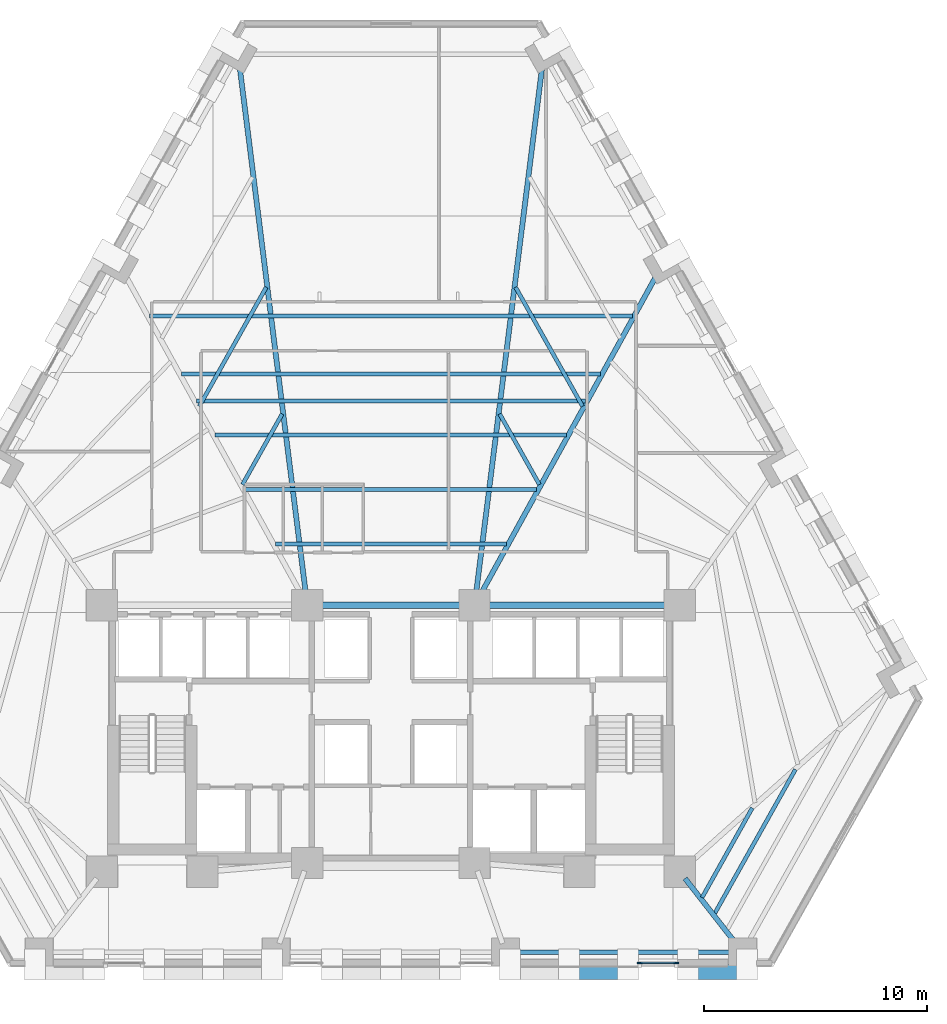
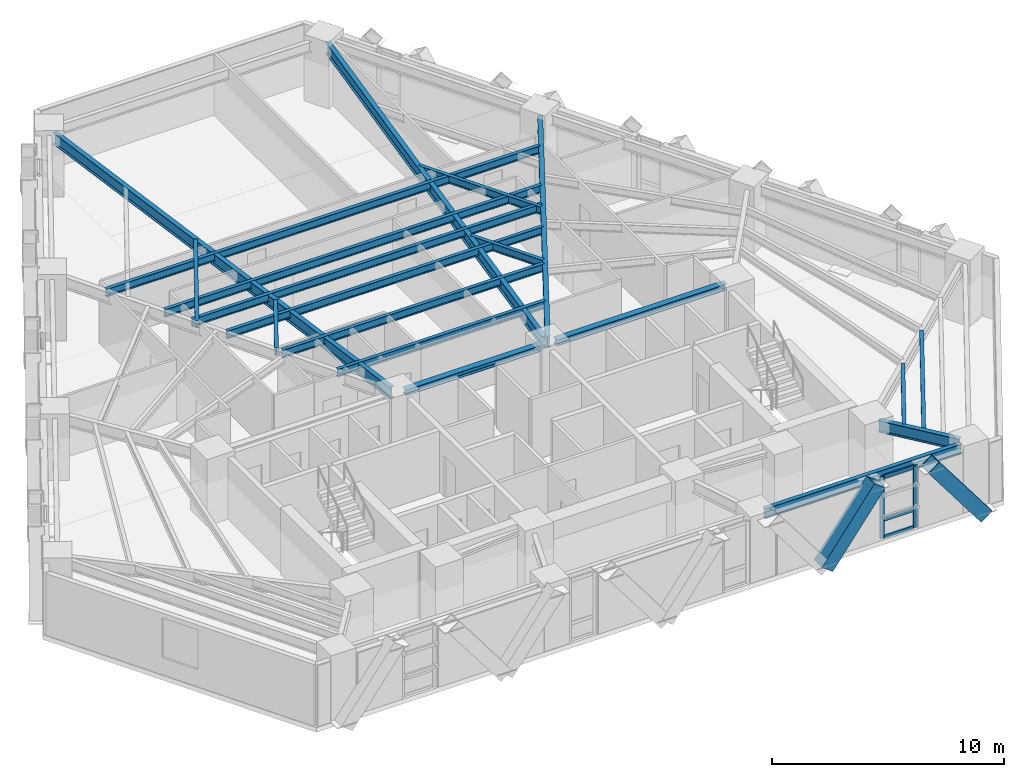
# One storey, part 3 of 13: 19 beams, 7 members, 1 element without a shape of its own.
"""IFC4 building model written with IfcOpenShell, lengths in metres."""

from ifc_helpers import new_model, si_unit, direction, frame, origin, origin_2d, place, context, subcontext, project, spatial, rectangle, hollow_rectangle, i_section, extrude, material, material_profile, profile_set, type_object, element, aggregate, save


model = new_model("IFC4")

# Units and contexts
model_context = context("Model", 3, precision=1e-05, world=origin(), true_north=direction((0.0, 1.0)))
body_context = subcontext(model_context, "Body", "Model", "MODEL_VIEW")
ifc_project = project(units=[si_unit("LENGTHUNIT", "METRE"), si_unit("AREAUNIT", "SQUARE_METRE"), si_unit("VOLUMEUNIT", "CUBIC_METRE"), si_unit("PLANEANGLEUNIT", "RADIAN"), si_unit("MASSUNIT", "GRAM", prefix="KILO")], contexts=[model_context])

# Site, building, storey
site_placement = place(None, origin())
site = spatial("IfcSite", under=ifc_project, at=site_placement, CompositionType="ELEMENT")
building_placement = place(site_placement, origin())
building = spatial("IfcBuilding", under=site, at=building_placement, Name="Quenlor Broadcast Tower", CompositionType="ELEMENT")
storey_placement = place(building_placement, frame((0.0, 0.0, 59.10009765625)))
storey = spatial("IfcBuildingStorey", under=building, at=storey_placement, Name="L15", CompositionType="ELEMENT", Elevation=59.10009765625)

# Curtain wall, members
ifc_material_1 = material(Name="Architectural Terracotta and Low-E Glazing", Category="masonry")
curtain_wall_type = type_object("IfcCurtainWallType", Name="Unitised Terracotta Curtain Wall System Z1", PredefinedType="NOTDEFINED", material=ifc_material_1)
curtain_wall_placement = place(storey_placement, origin())
curtain_wall = element("IfcCurtainWall", 1, at=curtain_wall_placement, inside=storey, type_object=curtain_wall_type, Name="L15 Curtain Wall CW1 (L15-SA-G1)", PredefinedType="NOTDEFINED")
ifc_material_2 = material(Name="Aluminium 6063-T6", Category="aluminium")
ifc_material_profile_1 = material_profile(ifc_material_2, rectangle(XDim=0.080078125, YDim=0.219970703125, at=origin_2d()))
ifc_profile_set_1 = profile_set([ifc_material_profile_1], Name="Aluminium 6063-T6 MULL80x220")
member_type_1 = type_object("IfcMemberType", Name="CW1 Aluminium Mullion MULL_CW1", PredefinedType="MULLION", material=ifc_profile_set_1)
member_1_placement = place(storey_placement, frame((12.794921875, -20.840087890625, 0.0), z_axis=(0.0, 0.0, 1.0), x_axis=(0.0, -1.0, 0.0)))
member_1 = element("IfcMember", 2, at=member_1_placement, type_object=member_type_1, Name="CW1 mullion 1", PredefinedType="MULLION", context=body_context, shape_type="SweptSolid", body=[
    extrude(rectangle(XDim=0.080078125, YDim=0.219970703125, at=origin_2d()), origin(), (0.0, 0.0, 1.0), 3.25),
])
member_2_placement = place(storey_placement, frame((11.146484375, -20.840087890625, 0.0), z_axis=(0.0, 0.0, 1.0), x_axis=(0.0, -1.0, 0.0)))
member_2 = element("IfcMember", 3, at=member_2_placement, type_object=member_type_1, Name="CW1 mullion 2", PredefinedType="MULLION", context=body_context, shape_type="SweptSolid", body=[
    extrude(rectangle(XDim=0.080078125, YDim=0.219970703125, at=origin_2d()), origin(), (0.0, 0.0, 1.0), 3.25),
])
ifc_material_3 = material(Name="Aluminium 6063-T6", Category="aluminium")
ifc_material_profile_2 = material_profile(ifc_material_3, rectangle(XDim=0.080078125, YDim=0.179931640625, at=origin_2d()))
ifc_profile_set_2 = profile_set([ifc_material_profile_2], Name="Aluminium 6063-T6 TRAN80x180")
member_type_2 = type_object("IfcMemberType", Name="CW1 Aluminium Transom TRAN_CW1", PredefinedType="USERDEFINED", material=ifc_profile_set_2)
member_3_placement = place(storey_placement, frame((12.7548828125, -20.840087890625, 0.039794921875), z_axis=(-1.0, 0.0, 0.0), x_axis=(0.0, -1.0, 0.0)))
member_3 = element("IfcMember", 4, at=member_3_placement, type_object=member_type_2, Name="CW1 transom 1.1", ObjectType="TRANSOM", PredefinedType="USERDEFINED", context=body_context, shape_type="SweptSolid", body=[
    extrude(rectangle(XDim=0.080078125, YDim=0.179931640625, at=origin_2d()), origin(), (0.0, 0.0, 1.0), 1.568359375),
])
member_4_placement = place(storey_placement, frame((12.7548828125, -20.840087890625, 0.949951171875), z_axis=(-1.0, 0.0, 0.0), x_axis=(0.0, -1.0, 0.0)))
member_4 = element("IfcMember", 5, at=member_4_placement, type_object=member_type_2, Name="CW1 transom 1.2", ObjectType="TRANSOM", PredefinedType="USERDEFINED", context=body_context, shape_type="SweptSolid", body=[
    extrude(rectangle(XDim=0.080078125, YDim=0.179931640625, at=origin_2d()), origin(), (0.0, 0.0, 1.0), 1.568359375),
])
member_5_placement = place(storey_placement, frame((12.7548828125, -20.840087890625, 3.2099609375), z_axis=(-1.0, 0.0, 0.0), x_axis=(0.0, -1.0, 0.0)))
member_5 = element("IfcMember", 6, at=member_5_placement, type_object=member_type_2, Name="CW1 transom 1.3", ObjectType="TRANSOM", PredefinedType="USERDEFINED", context=body_context, shape_type="SweptSolid", body=[
    extrude(rectangle(XDim=0.080078125, YDim=0.179931640625, at=origin_2d()), origin(), (0.0, 0.0, 1.0), 1.568359375),
])
aggregate(curtain_wall, [member_1, member_2, member_3, member_4, member_5])

# Beams
ifc_material_4 = material(Name="Steel S355", Category="steel")
ifc_material_profile_3 = material_profile(ifc_material_4, i_section(OverallWidth=0.304931640625, OverallDepth=0.30810546875, WebThickness=0.010009765625, FlangeThickness=0.015380859375, FilletRadius=0.0166015625, at=origin_2d()))
ifc_profile_set_3 = profile_set([ifc_material_profile_3], Name="Steel S355 310UC96.8")
beam_type_1 = type_object("IfcBeamType", Name="Core Header Beam Steel S355 310UC96.8", PredefinedType="BEAM", material=ifc_profile_set_3)
beam_1_placement = place(storey_placement, frame((-3.389892578125, -4.800048828125, 3.095947265625), z_axis=(1.0, 0.0, 0.0), x_axis=(0.0, 1.0, 0.0)))
element("IfcBeam", 7, at=beam_1_placement, inside=storey, type_object=beam_type_1, Name="L15 Core Header Beam 2", PredefinedType="BEAM", context=body_context, shape_type="SweptSolid", body=[
    extrude(i_section(OverallWidth=0.304931640625, OverallDepth=0.30810546875, WebThickness=0.010009765625, FlangeThickness=0.015380859375, FilletRadius=0.0166015625, at=origin_2d()), origin(), (0.0, 0.0, 1.0), 6.77978515625),
])
ifc_material_5 = material(Name="Steel S355", Category="steel")
ifc_material_profile_4 = material_profile(ifc_material_5, i_section(OverallWidth=0.306884765625, OverallDepth=0.314697265625, WebThickness=0.011962890625, FlangeThickness=0.018798828125, FilletRadius=0.0166015625, at=origin_2d()))
ifc_profile_set_4 = profile_set([ifc_material_profile_4], Name="Steel S355 310UC118")
beam_type_2 = type_object("IfcBeamType", Name="Core Tie Beam Steel S355 310UC118", PredefinedType="BEAM", material=ifc_profile_set_4)
beam_2_placement = place(storey_placement, frame((4.110107421875, -4.800048828125, 3.092529296875), z_axis=(1.0, 0.0, 0.0), x_axis=(0.0, 1.0, 0.0)))
element("IfcBeam", 8, at=beam_2_placement, inside=storey, type_object=beam_type_2, Name="L15 Core Tie Beam 3", PredefinedType="BEAM", context=body_context, shape_type="SweptSolid", body=[
    extrude(i_section(OverallWidth=0.306884765625, OverallDepth=0.314697265625, WebThickness=0.011962890625, FlangeThickness=0.018798828125, FilletRadius=0.0166015625, at=origin_2d()), origin(), (0.0, 0.0, 1.0), 8.47998046875),
])

# Members
ifc_material_6 = material(Name="Steel S355", Category="steel")
ifc_material_profile_5 = material_profile(ifc_material_6, hollow_rectangle(XDim=0.679931640625, YDim=0.679931640625, WallThickness=0.034912109375, at=origin_2d()))
ifc_profile_set_5 = profile_set([ifc_material_profile_5], Name="Steel S355 RHS680x680x35")
member_type_3 = type_object("IfcMemberType", Name="Perimeter Diagonal Lattice Brace Z1 Steel S355 RHS680x35", PredefinedType="BRACE", material=ifc_profile_set_5)
for number, where, z_axis, x_axis, name in (
    (9, (15.945068359375, -21.235107421875, -0.1201171875), (-0.600463982679, 0.0, 0.799651802665), (0.0, -1.0, 0.0), "L15 Perimeter Diamond Lattice S-C1S"),
    (10, (7.99658203125, -21.235107421875, -0.1201171875), (0.600463982679, 0.0, 0.799651802665), (0.0, 1.0, 0.0), "L15 Perimeter Diamond Lattice S-C1B"),
):
    element("IfcMember", number, at=place(storey_placement, frame(where, z_axis=z_axis, x_axis=x_axis)), inside=storey, type_object=member_type_3, Name=name, PredefinedType="BRACE", context=body_context, shape_type="SweptSolid", body=[
        extrude(hollow_rectangle(XDim=0.679931640625, YDim=0.679931640625, WallThickness=0.034912109375, at=origin_2d()), origin(), (0.0, 0.0, 1.0), 4.376953125),
    ])

# Beams
ifc_material_7 = material(Name="Steel S355", Category="steel")
ifc_material_profile_6 = material_profile(ifc_material_7, i_section(OverallWidth=0.208984375, OverallDepth=0.532958984375, WebThickness=0.01025390625, FlangeThickness=0.015625, FilletRadius=0.013916015625, at=origin_2d()))
ifc_profile_set_6 = profile_set([ifc_material_profile_6], Name="Steel S355 530UB92.4")
beam_type_3 = type_object("IfcBeamType", Name="Perimeter Spandrel Beam Z1 Steel S355 530UB92.4", PredefinedType="SPANDREL", material=ifc_profile_set_6)
beam_3_placement = place(storey_placement, frame((5.55078125, -20.35009765625, 2.9833984375), z_axis=(1.0, 0.0, 0.0), x_axis=(0.0, 1.0, 0.0)))
element("IfcBeam", 11, at=beam_3_placement, inside=storey, type_object=beam_type_3, Name="L15 Spandrel Beam S3-S4", PredefinedType="SPANDREL", context=body_context, shape_type="SweptSolid", body=[
    extrude(i_section(OverallWidth=0.208984375, OverallDepth=0.532958984375, WebThickness=0.01025390625, FlangeThickness=0.015625, FilletRadius=0.013916015625, at=origin_2d()), origin(), (0.0, 0.0, 1.0), 9.80419921875),
])
ifc_material_8 = material(Name="Steel S355", Category="steel")
ifc_material_profile_7 = material_profile(ifc_material_8, i_section(OverallWidth=0.177978515625, OverallDepth=0.406494140625, WebThickness=0.0078125, FlangeThickness=0.0126953125, FilletRadius=0.011474609375, at=origin_2d()))
ifc_profile_set_7 = profile_set([ifc_material_profile_7], Name="Steel S355 410UB59.7")
beam_type_4 = type_object("IfcBeamType", Name="Tower Composite Joist Z1 Steel S355 410UB59.7", PredefinedType="JOIST", material=ifc_profile_set_7)
beam_4_placement = place(storey_placement, frame((-5.184326171875, -2.0546875, 3.046630859375), z_axis=(1.0, 0.0, 0.0), x_axis=(0.0, 1.0, 0.0)))
element("IfcBeam", 12, at=beam_4_placement, inside=storey, type_object=beam_type_4, Name="L15 Secondary Composite Joist 1", PredefinedType="JOIST", context=body_context, shape_type="SweptSolid", body=[
    extrude(i_section(OverallWidth=0.177978515625, OverallDepth=0.406494140625, WebThickness=0.0078125, FlangeThickness=0.0126953125, FilletRadius=0.011474609375, at=origin_2d()), origin(), (0.0, 0.0, 1.0), 10.36865234375),
])
beam_5_placement = place(storey_placement, frame((-8.718017578125, 4.3505859375, 3.046630859375), z_axis=(1.0, 0.0, 0.0), x_axis=(0.0, 1.0, 0.0)))
element("IfcBeam", 13, at=beam_5_placement, inside=storey, type_object=beam_type_4, Name="L15 Secondary Composite Joist 2", PredefinedType="JOIST", context=body_context, shape_type="SweptSolid", body=[
    extrude(i_section(OverallWidth=0.177978515625, OverallDepth=0.406494140625, WebThickness=0.0078125, FlangeThickness=0.0126953125, FilletRadius=0.011474609375, at=origin_2d()), origin(), (0.0, 0.0, 1.0), 17.43603515625),
])
beam_6_placement = place(storey_placement, frame((-6.530517578125, 0.38525390625, 3.046630859375), z_axis=(1.0, 0.0, 0.0), x_axis=(0.0, 1.0, 0.0)))
element("IfcBeam", 14, at=beam_6_placement, inside=storey, type_object=beam_type_4, Name="L15 Secondary Composite Joist 3", PredefinedType="JOIST", context=body_context, shape_type="SweptSolid", body=[
    extrude(i_section(OverallWidth=0.177978515625, OverallDepth=0.406494140625, WebThickness=0.0078125, FlangeThickness=0.0126953125, FilletRadius=0.011474609375, at=origin_2d()), origin(), (0.0, 0.0, 1.0), 13.06103515625),
])
beam_7_placement = place(storey_placement, frame((-7.87646484375, 2.825439453125, 3.046630859375), z_axis=(1.0, 0.0, 0.0), x_axis=(0.0, 1.0, 0.0)))
element("IfcBeam", 15, at=beam_7_placement, inside=storey, type_object=beam_type_4, Name="L15 Secondary Composite Joist 4", PredefinedType="JOIST", context=body_context, shape_type="SweptSolid", body=[
    extrude(i_section(OverallWidth=0.177978515625, OverallDepth=0.406494140625, WebThickness=0.0078125, FlangeThickness=0.0126953125, FilletRadius=0.011474609375, at=origin_2d()), origin(), (0.0, 0.0, 1.0), 15.7529296875),
])
beam_8_placement = place(storey_placement, frame((-9.390869140625, 5.570556640625, 3.046630859375), z_axis=(1.0, 0.0, 0.0), x_axis=(0.0, 1.0, 0.0)))
element("IfcBeam", 16, at=beam_8_placement, inside=storey, type_object=beam_type_4, Name="L15 Secondary Composite Joist 5", PredefinedType="JOIST", context=body_context, shape_type="SweptSolid", body=[
    extrude(i_section(OverallWidth=0.177978515625, OverallDepth=0.406494140625, WebThickness=0.0078125, FlangeThickness=0.0126953125, FilletRadius=0.011474609375, at=origin_2d()), origin(), (0.0, 0.0, 1.0), 18.78173828125),
])
beam_9_placement = place(storey_placement, frame((-10.821044921875, 8.163330078125, 3.046630859375), z_axis=(1.0, 0.0, 0.0), x_axis=(0.0, 1.0, 0.0)))
element("IfcBeam", 17, at=beam_9_placement, inside=storey, type_object=beam_type_4, Name="L15 Secondary Composite Joist 6", PredefinedType="JOIST", context=body_context, shape_type="SweptSolid", body=[
    extrude(i_section(OverallWidth=0.177978515625, OverallDepth=0.406494140625, WebThickness=0.0078125, FlangeThickness=0.0126953125, FilletRadius=0.011474609375, at=origin_2d()), origin(), (0.0, 0.0, 1.0), 21.64208984375),
])
beam_10_placement = place(storey_placement, frame((13.9462890625, -17.904296875, 3.046630859375), z_axis=(0.489062021968, 0.872249011848, 0.0), x_axis=(-0.872249011848, 0.489062021968, 0.0)))
element("IfcBeam", 18, at=beam_10_placement, inside=storey, type_object=beam_type_4, Name="L15 Secondary Composite Joist 22", PredefinedType="JOIST", context=body_context, shape_type="SweptSolid", body=[
    extrude(i_section(OverallWidth=0.177978515625, OverallDepth=0.406494140625, WebThickness=0.0078125, FlangeThickness=0.0126953125, FilletRadius=0.011474609375, at=origin_2d()), origin(), (0.0, 0.0, 1.0), 4.6025390625),
])
beam_11_placement = place(storey_placement, frame((14.50927734375, -18.624267578125, 3.046630859375), z_axis=(0.489088249322, 0.872234305892, 0.0), x_axis=(-0.872234305892, 0.489088249322, 0.0)))
element("IfcBeam", 19, at=beam_11_placement, inside=storey, type_object=beam_type_4, Name="L15 Secondary Composite Joist 23", PredefinedType="JOIST", context=body_context, shape_type="SweptSolid", body=[
    extrude(i_section(OverallWidth=0.177978515625, OverallDepth=0.406494140625, WebThickness=0.0078125, FlangeThickness=0.0126953125, FilletRadius=0.011474609375, at=origin_2d()), origin(), (0.0, 0.0, 1.0), 7.404296875),
])
beam_12_placement = place(storey_placement, frame((-4.87451171875, 3.7734375, 3.046630859375), z_axis=(-0.490286766726, -0.871561177642, 0.0), x_axis=(0.871561177642, -0.490286766726, 0.0)))
element("IfcBeam", 20, at=beam_12_placement, inside=storey, type_object=beam_type_4, Name="L15 Secondary Composite Joist 25", PredefinedType="JOIST", context=body_context, shape_type="SweptSolid", body=[
    extrude(i_section(OverallWidth=0.177978515625, OverallDepth=0.406494140625, WebThickness=0.0078125, FlangeThickness=0.0126953125, FilletRadius=0.011474609375, at=origin_2d()), origin(), (0.0, 0.0, 1.0), 3.632568359375),
])
beam_13_placement = place(storey_placement, frame((-5.587646484375, 9.453125, 3.046630859375), z_axis=(-0.490276380443, -0.871567020246, 0.0), x_axis=(0.871567020246, -0.490276380443, 0.0)))
element("IfcBeam", 21, at=beam_13_placement, inside=storey, type_object=beam_type_4, Name="L15 Secondary Composite Joist 26", PredefinedType="JOIST", context=body_context, shape_type="SweptSolid", body=[
    extrude(i_section(OverallWidth=0.177978515625, OverallDepth=0.406494140625, WebThickness=0.0078125, FlangeThickness=0.0126953125, FilletRadius=0.011474609375, at=origin_2d()), origin(), (0.0, 0.0, 1.0), 6.12451171875),
])
beam_14_placement = place(storey_placement, frame((4.87451171875, 3.7734375, 3.046630859375), z_axis=(0.490286766726, -0.871561177642, 0.0), x_axis=(0.871561177642, 0.490286766726, 0.0)))
element("IfcBeam", 22, at=beam_14_placement, inside=storey, type_object=beam_type_4, Name="L15 Secondary Composite Joist 28", PredefinedType="JOIST", context=body_context, shape_type="SweptSolid", body=[
    extrude(i_section(OverallWidth=0.177978515625, OverallDepth=0.406494140625, WebThickness=0.0078125, FlangeThickness=0.0126953125, FilletRadius=0.011474609375, at=origin_2d()), origin(), (0.0, 0.0, 1.0), 3.632568359375),
])
beam_15_placement = place(storey_placement, frame((5.587646484375, 9.453125, 3.046630859375), z_axis=(0.490276380443, -0.871567020246, 0.0), x_axis=(0.871567020246, 0.490276380443, 0.0)))
element("IfcBeam", 23, at=beam_15_placement, inside=storey, type_object=beam_type_4, Name="L15 Secondary Composite Joist 29", PredefinedType="JOIST", context=body_context, shape_type="SweptSolid", body=[
    extrude(i_section(OverallWidth=0.177978515625, OverallDepth=0.406494140625, WebThickness=0.0078125, FlangeThickness=0.0126953125, FilletRadius=0.011474609375, at=origin_2d()), origin(), (0.0, 0.0, 1.0), 6.12451171875),
])
ifc_material_9 = material(Name="Steel S355", Category="steel")
ifc_material_profile_8 = material_profile(ifc_material_9, i_section(OverallWidth=0.22900390625, OverallDepth=0.611572265625, WebThickness=0.011962890625, FlangeThickness=0.01953125, FilletRadius=0.013916015625, at=origin_2d()))
ifc_profile_set_8 = profile_set([ifc_material_profile_8], Name="Steel S355 610UB125")
beam_type_5 = type_object("IfcBeamType", Name="Tower Primary Floor Beam Z1 Steel S355 610UB125", PredefinedType="BEAM", material=ifc_profile_set_8)
beam_16_placement = place(storey_placement, frame((15.512451171875, -20.027099609375, 2.944091796875), z_axis=(-0.615968610193, 0.78777069713, 0.0), x_axis=(-0.78777069713, -0.615968610193, 0.0)))
element("IfcBeam", 24, at=beam_16_placement, inside=storey, type_object=beam_type_5, Name="L15 Primary Radial Beam S4", PredefinedType="BEAM", context=body_context, shape_type="SweptSolid", body=[
    extrude(i_section(OverallWidth=0.22900390625, OverallDepth=0.611572265625, WebThickness=0.011962890625, FlangeThickness=0.01953125, FilletRadius=0.013916015625, at=origin_2d()), origin(), (0.0, 0.0, 1.0), 3.780029296875),
])
beam_17_placement = place(storey_placement, frame((11.965087890625, 10.091796875, 2.944091796875), z_axis=(-0.483026493693, -0.875605736842, 0.0), x_axis=(0.875605736842, -0.483026493693, 0.0)))
element("IfcBeam", 25, at=beam_17_placement, inside=storey, type_object=beam_type_5, Name="L15 Primary Radial Beam NE3", PredefinedType="BEAM", context=body_context, shape_type="SweptSolid", body=[
    extrude(i_section(OverallWidth=0.22900390625, OverallDepth=0.611572265625, WebThickness=0.011962890625, FlangeThickness=0.01953125, FilletRadius=0.013916015625, at=origin_2d()), origin(), (0.0, 0.0, 1.0), 16.62744140625),
])
for number, where, z_axis, x_axis, name in (
    (26, (6.7998046875, 19.48779296875, 2.944091796875), (-0.124589575762, -0.99220836401, 0.0), (0.99220836401, -0.124589575762, 0.0), "L15 Primary Radial Beam NE4"),
    (27, (-6.7998046875, 19.48779296875, 2.944091796875), (0.124589575762, -0.99220836401, 0.0), (0.99220836401, 0.124589575762, 0.0), "L15 Primary Radial Beam NW1"),
):
    element("IfcBeam", number, at=place(storey_placement, frame(where, z_axis=z_axis, x_axis=x_axis)), inside=storey, type_object=beam_type_5, Name=name, PredefinedType="BEAM", context=body_context, shape_type="SweptSolid", body=[
        extrude(i_section(OverallWidth=0.22900390625, OverallDepth=0.611572265625, WebThickness=0.011962890625, FlangeThickness=0.01953125, FilletRadius=0.013916015625, at=origin_2d()), origin(), (0.0, 0.0, 1.0), 24.0986328125),
    ])

save(model, "model.ifc")
